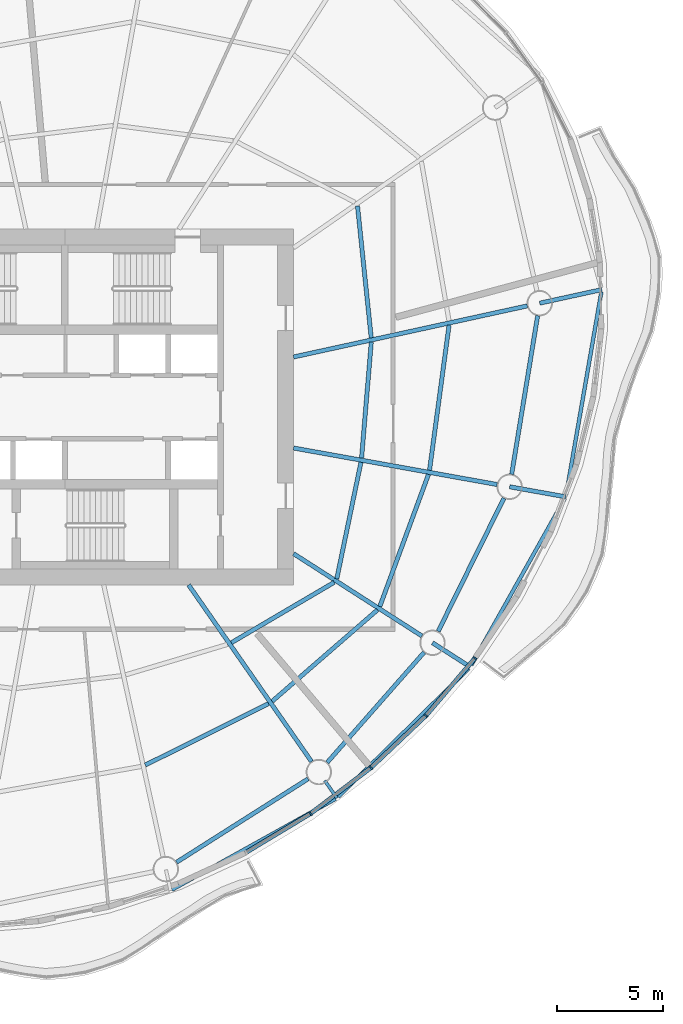
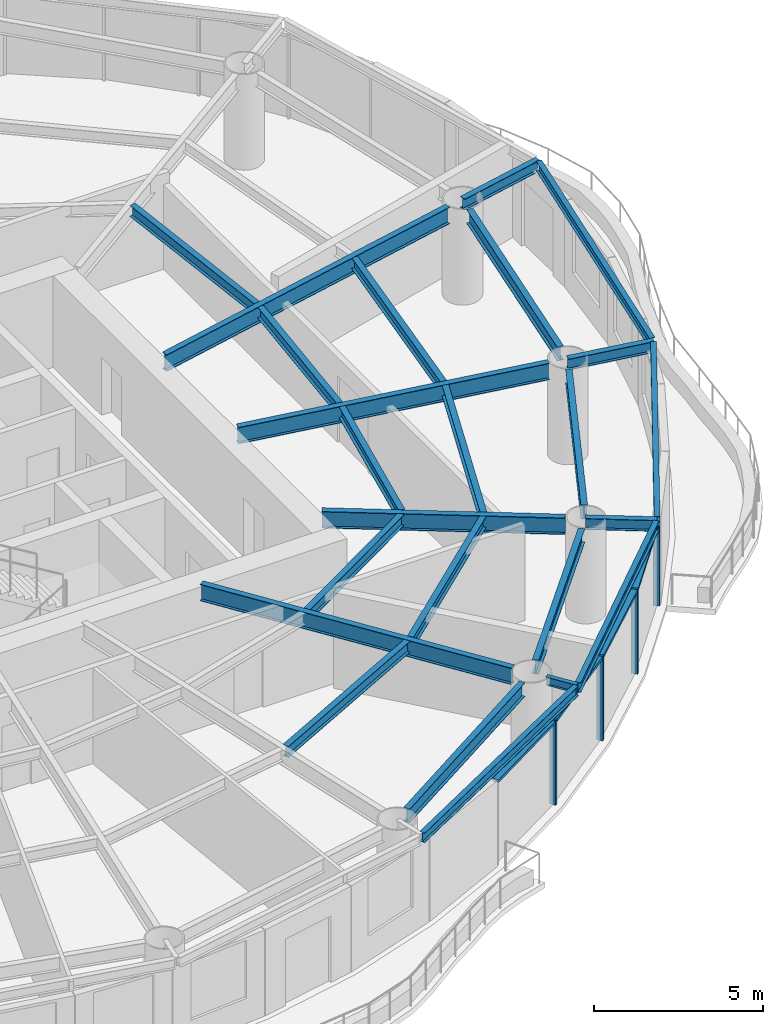
# One storey, part 4 of 14: 24 beams, 8 members, 4 elements without a shape of their own.
"""IFC4 building model written with IfcOpenShell, lengths in metres."""

from ifc_helpers import new_model, si_unit, direction, frame, origin, origin_2d, place, context, subcontext, project, spatial, rectangle, i_section, extrude, material, material_profile, profile_set, type_object, element, aggregate, save


model = new_model("IFC4")

# Units and contexts
model_context = context("Model", 3, precision=1e-05, world=origin(), true_north=direction((0.0, 1.0)))
body_context = subcontext(model_context, "Body", "Model", "MODEL_VIEW")
ifc_project = project(units=[si_unit("LENGTHUNIT", "METRE"), si_unit("AREAUNIT", "SQUARE_METRE"), si_unit("VOLUMEUNIT", "CUBIC_METRE"), si_unit("PLANEANGLEUNIT", "RADIAN"), si_unit("MASSUNIT", "GRAM", prefix="KILO")], contexts=[model_context])

# Site, building, storey
site_placement = place(None, origin())
site = spatial("IfcSite", under=ifc_project, at=site_placement, CompositionType="ELEMENT")
building_placement = place(site_placement, origin())
building = spatial("IfcBuilding", under=site, at=building_placement, Name="Vermilion Reach Broadcast Tower", CompositionType="ELEMENT")
storey_placement = place(building_placement, frame((0.0, 0.0, 195.699951171875)))
storey = spatial("IfcBuildingStorey", under=building, at=storey_placement, Name="L47", CompositionType="ELEMENT", Elevation=195.699951171875)

# Beams
ifc_material_1 = material(Name="Steel S355J2", Category="steel")
ifc_material_profile_1 = material_profile(ifc_material_1, i_section(OverallWidth=0.175048828125, OverallDepth=0.35009765625, WebThickness=0.007080078125, FlangeThickness=0.010986328125, at=origin_2d()), Name="S355J2 HN 350x175x7x11")
ifc_profile_set_1 = profile_set([ifc_material_profile_1], Name="Steel S355J2")
beam_type_1 = type_object("IfcBeamType", Name="EB4 HN 350x175x7x11", PredefinedType="BEAM", material=ifc_profile_set_1)
beam_1_placement = place(storey_placement, frame((-0.9404296875, -22.796142578125, 3.275146484375), z_axis=(0.873973451909, 0.48597366735, 0.0), x_axis=(-0.48597366735, 0.873973451909, 0.0)))
element("IfcBeam", 1, at=beam_1_placement, inside=storey, type_object=beam_type_1, Name="Edge beam EB4-11", PredefinedType="BEAM", context=body_context, shape_type="SweptSolid", body=[
    extrude(i_section(OverallWidth=0.175048828125, OverallDepth=0.35009765625, WebThickness=0.007080078125, FlangeThickness=0.010986328125, at=origin_2d()), origin(), (0.0, 0.0, 1.0), 8.836181640625),
])
beam_2_placement = place(storey_placement, frame((6.90234375, -18.412109375, 3.275146484375), z_axis=(0.713148774513, 0.701012714158, 0.0), x_axis=(-0.701012714158, 0.713148774513, 0.0)))
element("IfcBeam", 2, at=beam_2_placement, inside=storey, type_object=beam_type_1, Name="Edge beam EB4-12", PredefinedType="BEAM", context=body_context, shape_type="SweptSolid", body=[
    extrude(i_section(OverallWidth=0.175048828125, OverallDepth=0.35009765625, WebThickness=0.007080078125, FlangeThickness=0.010986328125, at=origin_2d()), origin(), (0.0, 0.0, 1.0), 8.650390625),
])
beam_3_placement = place(storey_placement, frame((13.193359375, -12.18896484375, 3.275146484375), z_axis=(0.489603457951, 0.871945212707, 0.0), x_axis=(-0.871945212707, 0.489603457951, 0.0)))
element("IfcBeam", 3, at=beam_3_placement, inside=storey, type_object=beam_type_1, Name="Edge beam EB4-13", PredefinedType="BEAM", context=body_context, shape_type="SweptSolid", body=[
    extrude(i_section(OverallWidth=0.175048828125, OverallDepth=0.35009765625, WebThickness=0.007080078125, FlangeThickness=0.010986328125, at=origin_2d()), origin(), (0.0, 0.0, 1.0), 9.006591796875),
])
beam_4_placement = place(storey_placement, frame((17.671875, -4.144775390625, 3.275146484375), z_axis=(0.17112925856, 0.98524858633, 0.0), x_axis=(-0.98524858633, 0.17112925856, 0.0)))
element("IfcBeam", 4, at=beam_4_placement, inside=storey, type_object=beam_type_1, Name="Edge beam EB4-14", PredefinedType="BEAM", context=body_context, shape_type="SweptSolid", body=[
    extrude(i_section(OverallWidth=0.175048828125, OverallDepth=0.35009765625, WebThickness=0.007080078125, FlangeThickness=0.010986328125, at=origin_2d()), origin(), (0.0, 0.0, 1.0), 9.72412109375),
])
ifc_material_2 = material(Name="Steel S355J2", Category="steel")
ifc_material_profile_2 = material_profile(ifc_material_2, i_section(OverallWidth=0.199951171875, OverallDepth=0.60009765625, WebThickness=0.010986328125, FlangeThickness=0.01708984375, at=origin_2d()), Name="S355J2 HN 600x200x11x17")
ifc_profile_set_2 = profile_set([ifc_material_profile_2], Name="Steel S355J2")
beam_type_2 = type_object("IfcBeamType", Name="G4 HN 600x200x11x17", PredefinedType="BEAM", material=ifc_profile_set_2)
beam_5_placement = place(storey_placement, frame((-0.1552734375, -8.39990234375, 3.150146484375), z_axis=(0.571134149017, -0.8208567377, 0.0), x_axis=(0.8208567377, 0.571134149017, 0.0)))
element("IfcBeam", 5, at=beam_5_placement, inside=storey, type_object=beam_type_2, Name="Girder G4-12", PredefinedType="BEAM", context=body_context, shape_type="SweptSolid", body=[
    extrude(i_section(OverallWidth=0.199951171875, OverallDepth=0.60009765625, WebThickness=0.010986328125, FlangeThickness=0.01708984375, at=origin_2d()), origin(), (0.0, 0.0, 1.0), 10.16552734375),
])
beam_6_placement = place(storey_placement, frame((4.800048828125, -6.925537109375, 3.150146484375), z_axis=(0.841798504642, -0.539791883584, 0.0), x_axis=(0.539791883584, 0.841798504642, 0.0)))
element("IfcBeam", 6, at=beam_6_placement, inside=storey, type_object=beam_type_2, Name="Girder G4-13", PredefinedType="BEAM", context=body_context, shape_type="SweptSolid", body=[
    extrude(i_section(OverallWidth=0.199951171875, OverallDepth=0.60009765625, WebThickness=0.010986328125, FlangeThickness=0.01708984375, at=origin_2d()), origin(), (0.0, 0.0, 1.0), 7.1962890625),
])
beam_7_placement = place(storey_placement, frame((4.800048828125, -1.9375, 3.150146484375), z_axis=(0.984291153273, -0.176552897422, 0.0), x_axis=(0.176552897422, 0.984291153273, 0.0)))
element("IfcBeam", 7, at=beam_7_placement, inside=storey, type_object=beam_type_2, Name="Girder G4-14", PredefinedType="BEAM", context=body_context, shape_type="SweptSolid", body=[
    extrude(i_section(OverallWidth=0.199951171875, OverallDepth=0.60009765625, WebThickness=0.010986328125, FlangeThickness=0.01708984375, at=origin_2d()), origin(), (0.0, 0.0, 1.0), 9.765380859375),
])
beam_8_placement = place(storey_placement, frame((4.800048828125, 2.360595703125, 3.150146484375), z_axis=(0.976930175286, 0.213558967537, 0.0), x_axis=(-0.213558967537, 0.976930175286, 0.0)))
element("IfcBeam", 8, at=beam_8_placement, inside=storey, type_object=beam_type_2, Name="Girder G4-15", PredefinedType="BEAM", context=body_context, shape_type="SweptSolid", body=[
    extrude(i_section(OverallWidth=0.199951171875, OverallDepth=0.60009765625, WebThickness=0.010986328125, FlangeThickness=0.01708984375, at=origin_2d()), origin(), (0.0, 0.0, 1.0), 11.29833984375),
])
ifc_material_3 = material(Name="Steel S355J2", Category="steel")
ifc_material_profile_3 = material_profile(ifc_material_3, i_section(OverallWidth=0.199951171875, OverallDepth=0.39990234375, WebThickness=0.008056640625, FlangeThickness=0.012939453125, at=origin_2d()), Name="S355J2 HN 400x200x8x13")
ifc_profile_set_3 = profile_set([ifc_material_profile_3], Name="Steel S355J2")
beam_type_3 = type_object("IfcBeamType", Name="GC4 HN 400x200x8x13", PredefinedType="BEAM", material=ifc_profile_set_3)
beam_9_placement = place(storey_placement, frame((11.36279296875, -11.134033203125, 3.25), z_axis=(0.841837478651, -0.539731099288, 0.0), x_axis=(0.539731099288, 0.841837478651, 0.0)))
element("IfcBeam", 9, at=beam_9_placement, inside=storey, type_object=beam_type_3, Name="Cantilever girder GC4-13", PredefinedType="BEAM", context=body_context, shape_type="SweptSolid", body=[
    extrude(i_section(OverallWidth=0.199951171875, OverallDepth=0.39990234375, WebThickness=0.008056640625, FlangeThickness=0.012939453125, at=origin_2d()), origin(), (0.0, 0.0, 1.0), 2.116455078125),
])
beam_10_placement = place(storey_placement, frame((15.002685546875, -3.767578125, 3.25), z_axis=(0.984283324325, -0.176596538627, 0.0), x_axis=(0.176596538627, 0.984283324325, 0.0)))
element("IfcBeam", 10, at=beam_10_placement, inside=storey, type_object=beam_type_3, Name="Cantilever girder GC4-14", PredefinedType="BEAM", context=body_context, shape_type="SweptSolid", body=[
    extrude(i_section(OverallWidth=0.199951171875, OverallDepth=0.39990234375, WebThickness=0.008056640625, FlangeThickness=0.012939453125, at=origin_2d()), origin(), (0.0, 0.0, 1.0), 2.6943359375),
])
beam_11_placement = place(storey_placement, frame((16.423828125, 4.9013671875, 3.25), z_axis=(0.976931862294, 0.213551250138, 0.0), x_axis=(-0.213551250138, 0.976931862294, 0.0)))
element("IfcBeam", 11, at=beam_11_placement, inside=storey, type_object=beam_type_3, Name="Cantilever girder GC4-15", PredefinedType="BEAM", context=body_context, shape_type="SweptSolid", body=[
    extrude(i_section(OverallWidth=0.199951171875, OverallDepth=0.39990234375, WebThickness=0.008056640625, FlangeThickness=0.012939453125, at=origin_2d()), origin(), (0.0, 0.0, 1.0), 2.999755859375),
])
ifc_material_4 = material(Name="Steel S355J2", Category="steel")
ifc_material_profile_4 = material_profile(ifc_material_4, i_section(OverallWidth=0.14990234375, OverallDepth=0.300048828125, WebThickness=0.006591796875, FlangeThickness=0.009033203125, at=origin_2d()), Name="S355J2 HN 300x150x6.5x9")
ifc_profile_set_4 = profile_set([ifc_material_profile_4], Name="Steel S355J2")
beam_type_4 = type_object("IfcBeamType", Name="GS4 HN 300x150x6.5x9", PredefinedType="BEAM", material=ifc_profile_set_4)
beam_12_placement = place(storey_placement, frame((6.277099609375, -17.64453125, 3.300048828125), z_axis=(0.571100256946, -0.820880318022, 0.0), x_axis=(0.820880318022, 0.571100256946, 0.0)))
element("IfcBeam", 12, at=beam_12_placement, inside=storey, type_object=beam_type_4, Name="Cantilever stub GS4-12", PredefinedType="BEAM", context=body_context, shape_type="SweptSolid", body=[
    extrude(i_section(OverallWidth=0.14990234375, OverallDepth=0.300048828125, WebThickness=0.006591796875, FlangeThickness=0.009033203125, at=origin_2d()), origin(), (0.0, 0.0, 1.0), 1.0),
])
ifc_material_5 = material(Name="Steel S355J2", Category="steel")
ifc_material_profile_5 = material_profile(ifc_material_5, i_section(OverallWidth=0.199951171875, OverallDepth=0.5, WebThickness=0.010009765625, FlangeThickness=0.01611328125, at=origin_2d()), Name="S355J2 HN 500x200x10x16")
ifc_profile_set_5 = profile_set([ifc_material_profile_5], Name="Steel S355J2")
beam_type_5 = type_object("IfcBeamType", Name="RB4 HN 500x200x10x16", PredefinedType="BEAM", material=ifc_profile_set_5)
beam_13_placement = place(storey_placement, frame((-0.72412109375, -21.497314453125, 3.199951171875), z_axis=(0.84446426774, 0.535611893549, 0.0), x_axis=(-0.535611893549, 0.84446426774, 0.0)))
element("IfcBeam", 13, at=beam_13_placement, inside=storey, type_object=beam_type_5, Name="Ring beam RB4-11", PredefinedType="BEAM", context=body_context, shape_type="SweptSolid", body=[
    extrude(i_section(OverallWidth=0.199951171875, OverallDepth=0.5, WebThickness=0.010009765625, FlangeThickness=0.01611328125, at=origin_2d()), origin(), (0.0, 0.0, 1.0), 7.3544921875),
])
beam_14_placement = place(storey_placement, frame((6.3896484375, -16.786376953125, 3.199951171875), z_axis=(0.660565141761, 0.750768735024, 0.0), x_axis=(-0.750768735024, 0.660565141761, 0.0)))
element("IfcBeam", 14, at=beam_14_placement, inside=storey, type_object=beam_type_5, Name="Ring beam RB4-12", PredefinedType="BEAM", context=body_context, shape_type="SweptSolid", body=[
    extrude(i_section(OverallWidth=0.199951171875, OverallDepth=0.5, WebThickness=0.010009765625, FlangeThickness=0.01611328125, at=origin_2d()), origin(), (0.0, 0.0, 1.0), 6.9287109375),
])
beam_15_placement = place(storey_placement, frame((11.628662109375, -10.595947265625, 3.199951171875), z_axis=(0.442977497199, 0.896532730566, 0.0), x_axis=(-0.896532730566, 0.442977497199, 0.0)))
element("IfcBeam", 15, at=beam_15_placement, inside=storey, type_object=beam_type_5, Name="Ring beam RB4-13", PredefinedType="BEAM", context=body_context, shape_type="SweptSolid", body=[
    extrude(i_section(OverallWidth=0.199951171875, OverallDepth=0.5, WebThickness=0.010009765625, FlangeThickness=0.01611328125, at=origin_2d()), origin(), (0.0, 0.0, 1.0), 7.0166015625),
])
beam_16_placement = place(storey_placement, frame((15.099609375, -3.175537109375, 3.199951171875), z_axis=(0.161778110263, 0.986827159659, 0.0), x_axis=(-0.986827159659, 0.161778110263, 0.0)))
element("IfcBeam", 16, at=beam_16_placement, inside=storey, type_object=beam_type_5, Name="Ring beam RB4-14", PredefinedType="BEAM", context=body_context, shape_type="SweptSolid", body=[
    extrude(i_section(OverallWidth=0.199951171875, OverallDepth=0.5, WebThickness=0.010009765625, FlangeThickness=0.01611328125, at=origin_2d()), origin(), (0.0, 0.0, 1.0), 7.584716796875),
])
ifc_material_6 = material(Name="Steel S355J2", Category="steel")
ifc_material_profile_6 = material_profile(ifc_material_6, i_section(OverallWidth=0.199951171875, OverallDepth=0.39990234375, WebThickness=0.008056640625, FlangeThickness=0.012939453125, at=origin_2d()), Name="S355J2 HN 400x200x8x13")
ifc_profile_set_6 = profile_set([ifc_material_profile_6], Name="Steel S355J2")
beam_type_6 = type_object("IfcBeamType", Name="SB4 HN 400x200x8x13", PredefinedType="BEAM", material=ifc_profile_set_6)
beam_17_placement = place(storey_placement, frame((-2.20166015625, -16.908935546875, 3.25), z_axis=(0.895183615542, 0.445697536974, 0.0), x_axis=(-0.445697536974, 0.895183615542, 0.0)))
element("IfcBeam", 17, at=beam_17_placement, inside=storey, type_object=beam_type_6, Name="Secondary beam SB4-11-2", PredefinedType="BEAM", context=body_context, shape_type="SweptSolid", body=[
    extrude(i_section(OverallWidth=0.199951171875, OverallDepth=0.39990234375, WebThickness=0.008056640625, FlangeThickness=0.012939453125, at=origin_2d()), origin(), (0.0, 0.0, 1.0), 6.508544921875),
])
beam_18_placement = place(storey_placement, frame((1.866455078125, -11.130615234375, 3.25), z_axis=(0.862172572268, 0.506614701356, 0.0), x_axis=(-0.506614701356, 0.862172572268, 0.0)))
element("IfcBeam", 18, at=beam_18_placement, inside=storey, type_object=beam_type_6, Name="Secondary beam SB4-12-1", PredefinedType="BEAM", context=body_context, shape_type="SweptSolid", body=[
    extrude(i_section(OverallWidth=0.199951171875, OverallDepth=0.39990234375, WebThickness=0.008056640625, FlangeThickness=0.012939453125, at=origin_2d()), origin(), (0.0, 0.0, 1.0), 5.632568359375),
])
beam_19_placement = place(storey_placement, frame((3.791259765625, -13.89697265625, 3.25), z_axis=(0.755129308567, 0.655575874589, 0.0), x_axis=(-0.655575874589, 0.755129308567, 0.0)))
element("IfcBeam", 19, at=beam_19_placement, inside=storey, type_object=beam_type_6, Name="Secondary beam SB4-12-2", PredefinedType="BEAM", context=body_context, shape_type="SweptSolid", body=[
    extrude(i_section(OverallWidth=0.199951171875, OverallDepth=0.39990234375, WebThickness=0.008056640625, FlangeThickness=0.012939453125, at=origin_2d()), origin(), (0.0, 0.0, 1.0), 6.57958984375),
])
beam_20_placement = place(storey_placement, frame((6.841064453125, -8.115478515625, 3.25), z_axis=(0.20320860258, 0.979135467562, 0.0), x_axis=(-0.979135467562, 0.20320860258, 0.0)))
element("IfcBeam", 20, at=beam_20_placement, inside=storey, type_object=beam_type_6, Name="Secondary beam SB4-13-1", PredefinedType="BEAM", context=body_context, shape_type="SweptSolid", body=[
    extrude(i_section(OverallWidth=0.199951171875, OverallDepth=0.39990234375, WebThickness=0.008056640625, FlangeThickness=0.012939453125, at=origin_2d()), origin(), (0.0, 0.0, 1.0), 5.622802734375),
])
beam_21_placement = place(storey_placement, frame((8.8740234375, -9.419189453125, 3.25), z_axis=(0.345833008621, 0.938296078084, 0.0), x_axis=(-0.938296078084, 0.345833008621, 0.0)))
element("IfcBeam", 21, at=beam_21_placement, inside=storey, type_object=beam_type_6, Name="Secondary beam SB4-13-2", PredefinedType="BEAM", context=body_context, shape_type="SweptSolid", body=[
    extrude(i_section(OverallWidth=0.199951171875, OverallDepth=0.39990234375, WebThickness=0.008056640625, FlangeThickness=0.012939453125, at=origin_2d()), origin(), (0.0, 0.0, 1.0), 6.647216796875),
])
beam_22_placement = place(storey_placement, frame((8.012451171875, -2.412109375, 3.25), z_axis=(0.08339866655, 0.996516262997, 0.0), x_axis=(-0.996516262997, 0.08339866655, 0.0)))
element("IfcBeam", 22, at=beam_22_placement, inside=storey, type_object=beam_type_6, Name="Secondary beam SB4-14-1", PredefinedType="BEAM", context=body_context, shape_type="SweptSolid", body=[
    extrude(i_section(OverallWidth=0.199951171875, OverallDepth=0.39990234375, WebThickness=0.008056640625, FlangeThickness=0.012939453125, at=origin_2d()), origin(), (0.0, 0.0, 1.0), 5.49169921875),
])
beam_23_placement = place(storey_placement, frame((11.221435546875, -2.98779296875, 3.25), z_axis=(0.133486718782, 0.991050602093, 0.0), x_axis=(-0.991050602093, 0.133486718782, 0.0)))
element("IfcBeam", 23, at=beam_23_placement, inside=storey, type_object=beam_type_6, Name="Secondary beam SB4-14-2", PredefinedType="BEAM", context=body_context, shape_type="SweptSolid", body=[
    extrude(i_section(OverallWidth=0.199951171875, OverallDepth=0.39990234375, WebThickness=0.008056640625, FlangeThickness=0.012939453125, at=origin_2d()), origin(), (0.0, 0.0, 1.0), 6.913330078125),
])
beam_24_placement = place(storey_placement, frame((8.46875, 3.264892578125, 3.25), z_axis=(-0.103532173355, 0.994626105167, 0.0), x_axis=(-0.994626105167, -0.103532173355, 0.0)))
element("IfcBeam", 24, at=beam_24_placement, inside=storey, type_object=beam_type_6, Name="Secondary beam SB4-15-1", PredefinedType="BEAM", context=body_context, shape_type="SweptSolid", body=[
    extrude(i_section(OverallWidth=0.199951171875, OverallDepth=0.39990234375, WebThickness=0.008056640625, FlangeThickness=0.012939453125, at=origin_2d()), origin(), (0.0, 0.0, 1.0), 6.26318359375),
])

# Curtain wall, member
ifc_material_7 = material(Name="Low-e laminated clear glass in aluminium frame", Category="aluminium")
curtain_wall_type = type_object("IfcCurtainWallType", Name="Slot curtain wall", PredefinedType="NOTDEFINED", material=ifc_material_7)
placement = place(storey_placement, origin())
curtain_wall_1 = element("IfcCurtainWall", 25, at=placement, inside=storey, type_object=curtain_wall_type, Name="Slot curtain wall L47 35", PredefinedType="NOTDEFINED")
ifc_material_8 = material(Name="Anodised aluminium", Category="aluminium")
ifc_material_profile_7 = material_profile(ifc_material_8, rectangle(XDim=0.199951171875, YDim=0.080078125, at=origin_2d()), Name="Slot mullion 80 x 200")
ifc_profile_set_7 = profile_set([ifc_material_profile_7], Name="Anodised aluminium")
member_type_1 = type_object("IfcMemberType", Name="Slot mullion 80 x 200", PredefinedType="MULLION", material=ifc_profile_set_7)
member_1_placement = place(storey_placement, frame((5.604736328125, -19.197021484375, 0.0), z_axis=(0.0, 0.0, 1.0), x_axis=(-0.561420142862, 0.827530919778, 0.0)))
member_1 = element("IfcMember", 26, at=member_1_placement, type_object=member_type_1, Name="Slot mullion L47 35", PredefinedType="MULLION", context=body_context, shape_type="SweptSolid", body=[
    extrude(rectangle(XDim=0.199951171875, YDim=0.080078125, at=origin_2d()), origin(), (0.0, 0.0, 1.0), 3.050048828125),
])

curtain_wall_2 = element("IfcCurtainWall", 27, at=placement, inside=storey, type_object=curtain_wall_type, Name="Slot curtain wall L47 36", PredefinedType="NOTDEFINED")
member_2_placement = place(storey_placement, frame((8.45361328125, -17.031005859375, 0.0), z_axis=(0.0, 0.0, 1.0), x_axis=(-0.647056013427, 0.762442467002, 0.0)))
member_2 = element("IfcMember", 28, at=member_2_placement, type_object=member_type_1, Name="Slot mullion L47 36", PredefinedType="MULLION", context=body_context, shape_type="SweptSolid", body=[
    extrude(rectangle(XDim=0.199951171875, YDim=0.080078125, at=origin_2d()), origin(), (0.0, 0.0, 1.0), 3.050048828125),
])

# Curtain wall, members
curtain_wall_3 = element("IfcCurtainWall", 29, at=placement, inside=storey, type_object=curtain_wall_type, Name="Slot curtain wall L47 37", PredefinedType="NOTDEFINED")
member_3_placement = place(storey_placement, frame((11.05419921875, -14.572265625, 0.0), z_axis=(0.0, 0.0, 1.0), x_axis=(-0.725205384194, 0.688532606879, 0.0)))
member_3 = element("IfcMember", 30, at=member_3_placement, type_object=member_type_1, Name="Slot mullion L47 37", PredefinedType="MULLION", context=body_context, shape_type="SweptSolid", body=[
    extrude(rectangle(XDim=0.199951171875, YDim=0.080078125, at=origin_2d()), origin(), (0.0, 0.0, 1.0), 3.050048828125),
])
member_4_placement = place(storey_placement, frame((13.361328125, -11.863525390625, 0.0), z_axis=(0.0, 0.0, 1.0), x_axis=(-0.795695432727, 0.605696936047, 0.0)))
member_4 = element("IfcMember", 31, at=member_4_placement, type_object=member_type_1, Name="Slot mullion L47 38", PredefinedType="MULLION", context=body_context, shape_type="SweptSolid", body=[
    extrude(rectangle(XDim=0.199951171875, YDim=0.080078125, at=origin_2d()), origin(), (0.0, 0.0, 1.0), 3.050048828125),
])

# Curtain wall, member
curtain_wall_4 = element("IfcCurtainWall", 32, at=placement, inside=storey, type_object=curtain_wall_type, Name="Slot curtain wall L47 34", PredefinedType="NOTDEFINED")
ifc_material_9 = material(Name="Anodised aluminium", Category="aluminium")
ifc_material_profile_8 = material_profile(ifc_material_9, rectangle(XDim=0.199951171875, YDim=0.10009765625, at=origin_2d()), Name="Slot transom 200 x 100")
ifc_profile_set_8 = profile_set([ifc_material_profile_8], Name="Anodised aluminium")
member_type_2 = type_object("IfcMemberType", Name="Slot transom 200 x 100", PredefinedType="USERDEFINED", material=ifc_profile_set_8)
member_5_placement = place(storey_placement, frame((2.5908203125, -21.012451171875, 3.0), z_axis=(0.856606015131, 0.515971060081, 0.0), x_axis=(-0.515971060081, 0.856606015131, 0.0)))
member_5 = element("IfcMember", 33, at=member_5_placement, type_object=member_type_2, Name="Slot transom L47 34.1", ObjectType="TRANSOM", PredefinedType="USERDEFINED", context=body_context, shape_type="SweptSolid", body=[
    extrude(rectangle(XDim=0.199951171875, YDim=0.10009765625, at=origin_2d()), origin(), (0.0, 0.0, 1.0), 3.478271484375),
])
aggregate(curtain_wall_4, [member_5])

# Member
member_6_placement = place(storey_placement, frame((5.636474609375, -19.1728515625, 3.0), z_axis=(0.796055963446, 0.605223019277, 0.0), x_axis=(-0.605223019277, 0.796055963446, 0.0)))
member_6 = element("IfcMember", 34, at=member_6_placement, type_object=member_type_2, Name="Slot transom L47 35.1", ObjectType="TRANSOM", PredefinedType="USERDEFINED", context=body_context, shape_type="SweptSolid", body=[
    extrude(rectangle(XDim=0.199951171875, YDim=0.10009765625, at=origin_2d()), origin(), (0.0, 0.0, 1.0), 3.4990234375),
])

aggregate(curtain_wall_1, [member_1, member_6])

member_7_placement = place(storey_placement, frame((8.482666015625, -17.003662109375, 3.0), z_axis=(0.726645387807, 0.687012722138, 0.0), x_axis=(-0.687012722138, 0.726645387807, 0.0)))
member_7 = element("IfcMember", 35, at=member_7_placement, type_object=member_type_2, Name="Slot transom L47 36.1", ObjectType="TRANSOM", PredefinedType="USERDEFINED", context=body_context, shape_type="SweptSolid", body=[
    extrude(rectangle(XDim=0.199951171875, YDim=0.10009765625, at=origin_2d()), origin(), (0.0, 0.0, 1.0), 3.4990234375),
])

aggregate(curtain_wall_2, [member_2, member_7])

member_8_placement = place(storey_placement, frame((11.080078125, -14.5419921875, 3.0), z_axis=(0.648383600354, 0.761313803101, 0.0), x_axis=(-0.761313803101, 0.648383600354, 0.0)))
member_8 = element("IfcMember", 36, at=member_8_placement, type_object=member_type_2, Name="Slot transom L47 37.1", ObjectType="TRANSOM", PredefinedType="USERDEFINED", context=body_context, shape_type="SweptSolid", body=[
    extrude(rectangle(XDim=0.199951171875, YDim=0.10009765625, at=origin_2d()), origin(), (0.0, 0.0, 1.0), 3.478515625),
])

aggregate(curtain_wall_3, [member_3, member_4, member_8])

save(model, "model.ifc")
